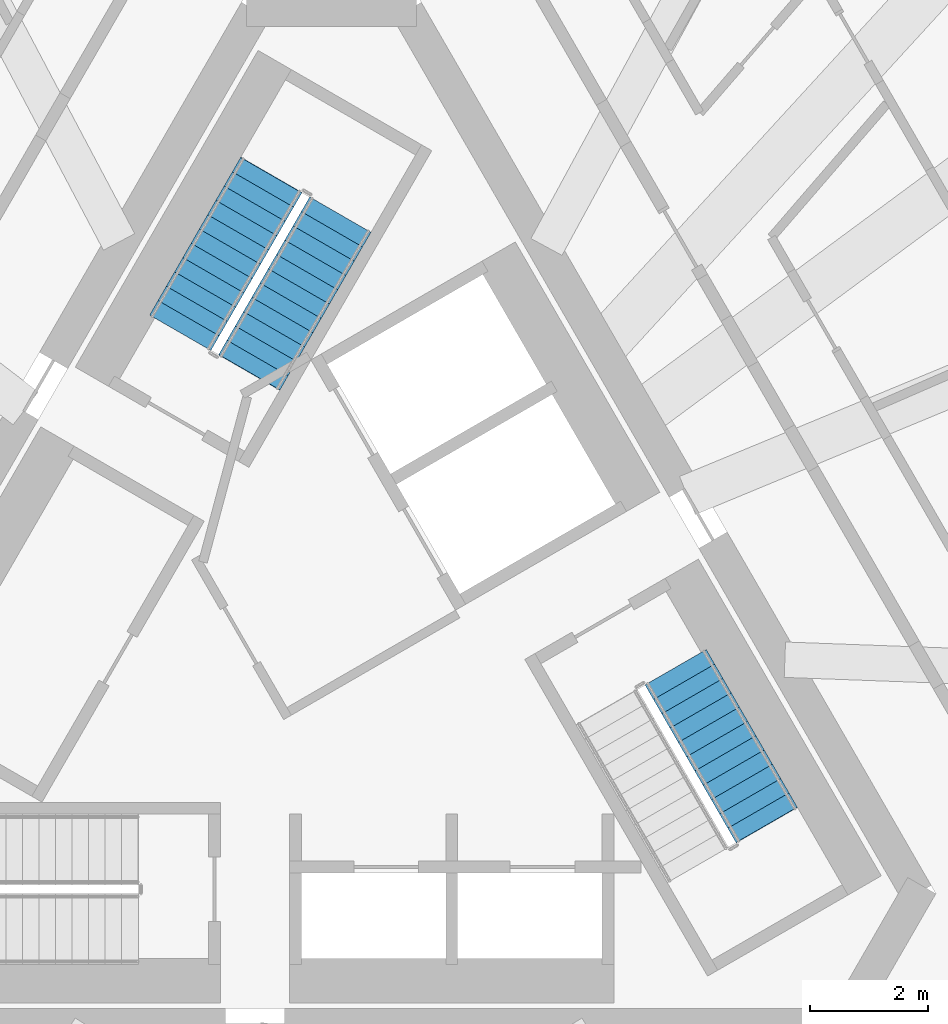
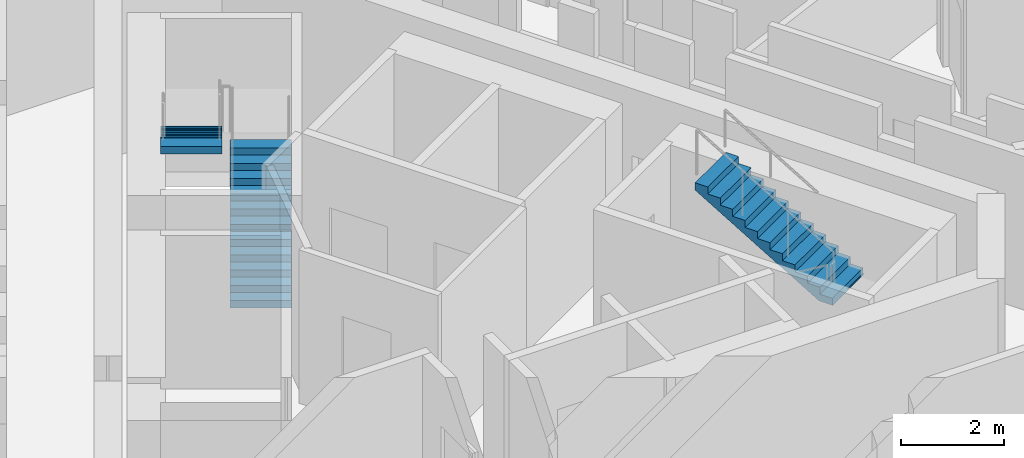
# One storey, part 9 of 13: 3 stair flights, 2 elements without a shape of their own.
"""IFC4 building model written with IfcOpenShell, lengths in metres."""

from ifc_helpers import new_model, si_unit, direction, frame, origin, place, context, subcontext, project, spatial, polyline, outline, extrude, material, layer, layer_set, type_object, element, aggregate, save


model = new_model("IFC4")

# Units and contexts
model_context = context("Model", 3, precision=1e-05, world=origin(), true_north=direction((0.0, 1.0)))
body_context = subcontext(model_context, "Body", "Model", "MODEL_VIEW")
ifc_project = project(units=[si_unit("LENGTHUNIT", "METRE"), si_unit("AREAUNIT", "SQUARE_METRE"), si_unit("VOLUMEUNIT", "CUBIC_METRE"), si_unit("PLANEANGLEUNIT", "RADIAN"), si_unit("MASSUNIT", "GRAM", prefix="KILO")], contexts=[model_context])

# Site, building, storey
site_placement = place(None, origin())
site = spatial("IfcSite", under=ifc_project, at=site_placement, CompositionType="ELEMENT")
building_placement = place(site_placement, origin())
building = spatial("IfcBuilding", under=site, at=building_placement, Name="Tramontana Tower", CompositionType="ELEMENT")
storey_placement = place(building_placement, frame((0.0, 0.0, 328.39990234375)))
storey = spatial("IfcBuildingStorey", under=building, at=storey_placement, Name="L75", CompositionType="ELEMENT", Elevation=328.39990234375)

# Stair, stair flights
ifc_material_1 = material(Name="Concrete 40 MPa", Category="concrete")
stair_type = type_object("IfcStairType", Name="EXIT STAIR 24 RISERS", PredefinedType="HALF_TURN_STAIR", material=ifc_material_1)
stair_1_placement = place(storey_placement, origin())
stair_1 = element("IfcStair", 1, at=stair_1_placement, inside=storey, type_object=stair_type, Name="L75 Exit stair ST1", PredefinedType="HALF_TURN_STAIR")
ifc_material_2 = material(Name="Concrete 40 MPa", Category="concrete")
ifc_layer = layer(ifc_material_2, 0.14990234375)
ifc_layer_set = layer_set([ifc_layer], Name="EXIT STAIR FLIGHT")
stair_flight_type = type_object("IfcStairFlightType", Name="EXIT STAIR FLIGHT", PredefinedType="STRAIGHT", material=ifc_layer_set)
stair_flight_1_placement = place(storey_placement, frame((-1.39111328125, 4.590576171875, 0.0), z_axis=(0.0, 0.0, 1.0), x_axis=(0.5, 0.866025403784, 0.0)))
stair_flight_1 = element("IfcStairFlight", 2, at=stair_flight_1_placement, type_object=stair_flight_type, Name="ST1 flight 1", NumberOfRisers=12, NumberOfTreads=11, PredefinedType="STRAIGHT", RiserHeight=0.166666667, TreadLength=0.28, context=body_context, shape_type="SweptSolid", body=[
    extrude(outline(polyline([(-0.006103515625, 0.0), (-0.006103515625, 0.0400390625), (0.0, 0.0400390625), (0.0, 0.166748046875), (0.280029296875, 0.166748046875), (0.280029296875, 0.333251953125), (0.56005859375, 0.333251953125), (0.56005859375, 0.5), (0.840087890625, 0.5), (0.840087890625, 0.666748046875), (1.1201171875, 0.666748046875), (1.1201171875, 0.833251953125), (1.39990234375, 0.833251953125), (1.39990234375, 1.0), (1.679931640625, 1.0), (1.679931640625, 1.166748046875), (1.9599609375, 1.166748046875), (1.9599609375, 1.333251953125), (2.239990234375, 1.333251953125), (2.239990234375, 1.5), (2.52001953125, 1.5), (2.52001953125, 1.666748046875), (2.800048828125, 1.666748046875), (2.800048828125, 1.833251953125), (3.080078125, 1.833251953125), (3.0859375, 1.833251953125), (3.0859375, 1.658935546875), (0.299072265625, 0.0), (-0.006103515625, 0.0)])), frame((0.0, 0.60009765625, 0.0), z_axis=(0.0, -1.0, 0.0), x_axis=(1.0, 0.0, 0.0)), (0.0, 0.0, 1.0), 1.199951171875),
])
stair_flight_2_placement = place(storey_placement, frame((-1.020263671875, 7.932861328125, 2.0), z_axis=(0.0, 0.0, 1.0), x_axis=(-0.5, -0.866025403784, 0.0)))
stair_flight_2 = element("IfcStairFlight", 3, at=stair_flight_2_placement, type_object=stair_flight_type, Name="ST1 flight 2", NumberOfRisers=12, NumberOfTreads=11, PredefinedType="STRAIGHT", RiserHeight=0.166666667, TreadLength=0.28, context=body_context, shape_type="SweptSolid", body=[
    extrude(outline(polyline([(-0.006103515625, 0.0), (-0.006103515625, 0.0400390625), (0.0, 0.0400390625), (0.0, 0.166748046875), (0.280029296875, 0.166748046875), (0.280029296875, 0.333251953125), (0.56005859375, 0.333251953125), (0.56005859375, 0.5), (0.840087890625, 0.5), (0.840087890625, 0.666748046875), (1.1201171875, 0.666748046875), (1.1201171875, 0.833251953125), (1.39990234375, 0.833251953125), (1.39990234375, 1.0), (1.679931640625, 1.0), (1.679931640625, 1.166748046875), (1.9599609375, 1.166748046875), (1.9599609375, 1.333251953125), (2.239990234375, 1.333251953125), (2.239990234375, 1.5), (2.52001953125, 1.5), (2.52001953125, 1.666748046875), (2.800048828125, 1.666748046875), (2.800048828125, 1.833251953125), (3.080078125, 1.833251953125), (3.0859375, 1.833251953125), (3.0859375, 1.658935546875), (0.299072265625, 0.0), (-0.006103515625, 0.0)])), frame((0.0, 0.60009765625, 0.0), z_axis=(0.0, -1.0, 0.0), x_axis=(1.0, 0.0, 0.0)), (0.0, 0.0, 1.0), 1.199951171875),
])
aggregate(stair_1, [stair_flight_1, stair_flight_2])

# Stair, stair flight
stair_2_placement = place(storey_placement, origin())
stair_2 = element("IfcStair", 4, at=stair_2_placement, inside=storey, type_object=stair_type, Name="L75 Exit stair ST3", PredefinedType="HALF_TURN_STAIR")
stair_flight_3_placement = place(storey_placement, frame((7.380126953125, -3.0830078125, 2.0), z_axis=(0.0, 0.0, 1.0), x_axis=(-0.5, 0.866025403784, 0.0)))
stair_flight_3 = element("IfcStairFlight", 5, at=stair_flight_3_placement, type_object=stair_flight_type, Name="ST3 flight 2", NumberOfRisers=12, NumberOfTreads=11, PredefinedType="STRAIGHT", RiserHeight=0.166666667, TreadLength=0.28, context=body_context, shape_type="SweptSolid", body=[
    extrude(outline(polyline([(-0.006103515625, 0.0), (-0.006103515625, 0.0400390625), (0.0, 0.0400390625), (0.0, 0.166748046875), (0.280029296875, 0.166748046875), (0.280029296875, 0.333251953125), (0.56005859375, 0.333251953125), (0.56005859375, 0.5), (0.840087890625, 0.5), (0.840087890625, 0.666748046875), (1.1201171875, 0.666748046875), (1.1201171875, 0.833251953125), (1.39990234375, 0.833251953125), (1.39990234375, 1.0), (1.679931640625, 1.0), (1.679931640625, 1.166748046875), (1.9599609375, 1.166748046875), (1.9599609375, 1.333251953125), (2.239990234375, 1.333251953125), (2.239990234375, 1.5), (2.52001953125, 1.5), (2.52001953125, 1.666748046875), (2.800048828125, 1.666748046875), (2.800048828125, 1.833251953125), (3.080078125, 1.833251953125), (3.0859375, 1.833251953125), (3.0859375, 1.658935546875), (0.299072265625, 0.0), (-0.006103515625, 0.0)])), frame((0.0, 0.60009765625, 0.0), z_axis=(0.0, -1.0, 0.0), x_axis=(1.0, 0.0, 0.0)), (0.0, 0.0, 1.0), 1.199951171875),
])
aggregate(stair_2, [stair_flight_3])

save(model, "model.ifc")
